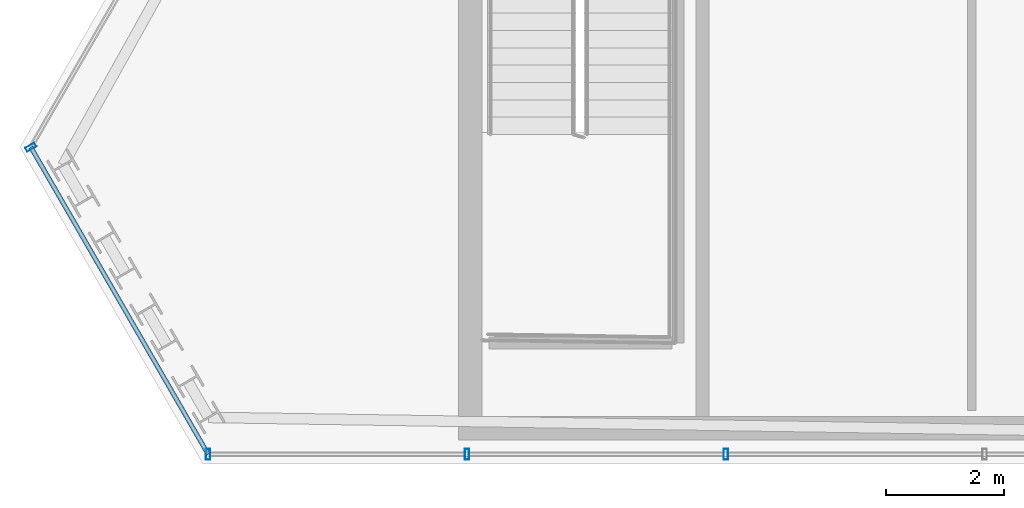
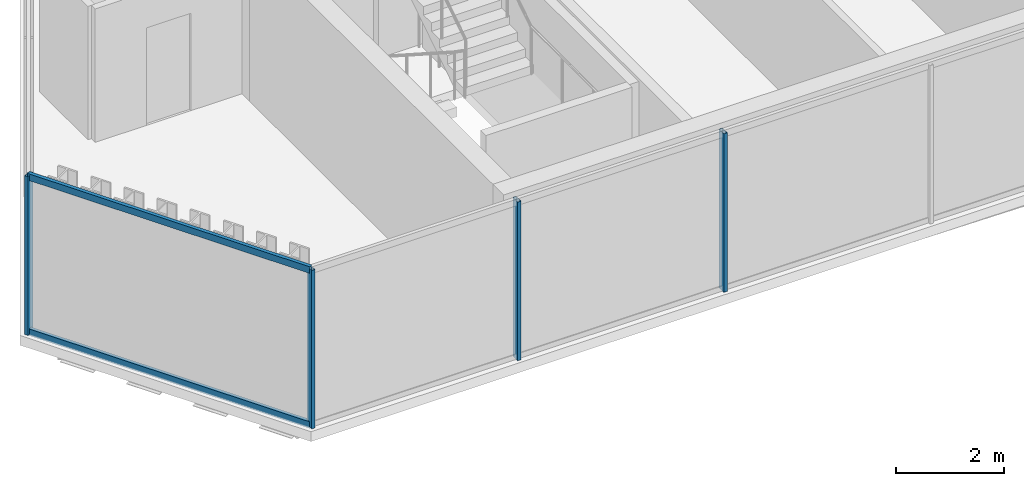
# One storey, part 3 of 32: 6 members, 2 elements without a shape of their own.
"""IFC4 building model written with IfcOpenShell, lengths in metres."""

from ifc_helpers import new_model, si_unit, direction, frame, origin, origin_2d, place, context, subcontext, project, spatial, hollow_rectangle, extrude, material, layer, layer_set, material_profile, profile_set, type_object, element, aggregate, save


model = new_model("IFC4")

# Units and contexts
model_context = context("Model", 3, precision=1e-05, world=origin(), true_north=direction((0.0, 1.0)))
body_context = subcontext(model_context, "Body", "Model", "MODEL_VIEW")
ifc_project = project(units=[si_unit("LENGTHUNIT", "METRE"), si_unit("AREAUNIT", "SQUARE_METRE"), si_unit("VOLUMEUNIT", "CUBIC_METRE"), si_unit("PLANEANGLEUNIT", "RADIAN"), si_unit("MASSUNIT", "GRAM", prefix="KILO")], contexts=[model_context])

# Site, building, storey
site_placement = place(None, origin())
site = spatial("IfcSite", under=ifc_project, at=site_placement, CompositionType="ELEMENT")
building_placement = place(site_placement, origin())
building = spatial("IfcBuilding", under=site, at=building_placement, Name="Ndaravel Arena Tower", CompositionType="ELEMENT")
storey_placement = place(building_placement, frame((0.0, 0.0, 256.0)))
storey = spatial("IfcBuildingStorey", under=building, at=storey_placement, Name="L62", CompositionType="ELEMENT", Elevation=256.0)

# Curtain wall, members
ifc_material_1 = material(Name="Aluminium", Category="aluminium")
ifc_layer_1 = layer(ifc_material_1, 0.179931640625)
ifc_layer_set_1 = layer_set([ifc_layer_1], Name="Aluminium")
curtain_wall_type_1 = type_object("IfcCurtainWallType", Name="CW-SYS-03", PredefinedType="NOTDEFINED", material=ifc_layer_set_1)
curtain_wall_1_placement = place(storey_placement, origin())
curtain_wall_1 = element("IfcCurtainWall", 1, at=curtain_wall_1_placement, inside=storey, type_object=curtain_wall_type_1, Name="L62 Faceted Crystal Curtain Wall CW-L62-E01", PredefinedType="NOTDEFINED")
ifc_material_2 = material(Name="Aluminium", Category="aluminium")
ifc_material_profile_1 = material_profile(ifc_material_2, hollow_rectangle(XDim=0.074951171875, YDim=0.179931640625, WallThickness=0.00390625, at=origin_2d()), Name="CW MULLION 75x180x4")
ifc_profile_set_1 = profile_set([ifc_material_profile_1], Name="Aluminium")
member_type_1 = type_object("IfcMemberType", Name="MEM-CW-MUL180", PredefinedType="MULLION", material=ifc_profile_set_1)
member_1_placement = place(storey_placement, frame((22.197021484375, 5.159912109375, 0.0), z_axis=(0.0, 0.0, 1.0), x_axis=(1.0, 0.0, 0.0)))
member_1 = element("IfcMember", 2, at=member_1_placement, type_object=member_type_1, Name="CW-L62-E01 Mullion 00", PredefinedType="MULLION", context=body_context, shape_type="SweptSolid", body=[
    extrude(hollow_rectangle(XDim=0.074951171875, YDim=0.179931640625, WallThickness=0.00390625, at=origin_2d()), origin(), (0.0, 0.0, 1.0), 3.580078125),
])
member_2_placement = place(storey_placement, frame((26.59765625, 5.159912109375, 0.0), z_axis=(0.0, 0.0, 1.0), x_axis=(1.0, 0.0, 0.0)))
member_2 = element("IfcMember", 3, at=member_2_placement, type_object=member_type_1, Name="CW-L62-E01 Mullion 01", PredefinedType="MULLION", context=body_context, shape_type="SweptSolid", body=[
    extrude(hollow_rectangle(XDim=0.074951171875, YDim=0.179931640625, WallThickness=0.00390625, at=origin_2d()), origin(), (0.0, 0.0, 1.0), 3.580078125),
])
member_3_placement = place(storey_placement, frame((30.998291015625, 5.159912109375, 0.0), z_axis=(0.0, 0.0, 1.0), x_axis=(1.0, 0.0, 0.0)))
member_3 = element("IfcMember", 4, at=member_3_placement, type_object=member_type_1, Name="CW-L62-E01 Mullion 02", PredefinedType="MULLION", context=body_context, shape_type="SweptSolid", body=[
    extrude(hollow_rectangle(XDim=0.074951171875, YDim=0.179931640625, WallThickness=0.00390625, at=origin_2d()), origin(), (0.0, 0.0, 1.0), 3.580078125),
])
aggregate(curtain_wall_1, [member_1, member_2, member_3])

ifc_material_3 = material(Name="Aluminium", Category="aluminium")
ifc_layer_2 = layer(ifc_material_3, 0.179931640625)
ifc_layer_set_2 = layer_set([ifc_layer_2], Name="Aluminium")
curtain_wall_type_2 = type_object("IfcCurtainWallType", Name="CW-SYS-02", PredefinedType="NOTDEFINED", material=ifc_layer_set_2)
curtain_wall_2_placement = place(storey_placement, origin())
curtain_wall_2 = element("IfcCurtainWall", 5, at=curtain_wall_2_placement, inside=storey, type_object=curtain_wall_type_2, Name="L62 Faceted Crystal Curtain Wall CW-L62-E06", PredefinedType="NOTDEFINED")
member_4_placement = place(storey_placement, frame((19.183349609375, 10.3798828125, 0.0), z_axis=(0.0, 0.0, 1.0), x_axis=(0.5, -0.866025403784, 0.0)))
member_4 = element("IfcMember", 6, at=member_4_placement, type_object=member_type_1, Name="CW-L62-E06 Mullion 00", PredefinedType="MULLION", context=body_context, shape_type="SweptSolid", body=[
    extrude(hollow_rectangle(XDim=0.074951171875, YDim=0.179931640625, WallThickness=0.00390625, at=origin_2d()), origin(), (0.0, 0.0, 1.0), 3.580078125),
])
ifc_material_4 = material(Name="Aluminium", Category="aluminium")
ifc_material_profile_2 = material_profile(ifc_material_4, hollow_rectangle(XDim=0.074951171875, YDim=0.14990234375, WallThickness=0.00390625, at=origin_2d()), Name="CW TRANSOM 75x150x4")
ifc_profile_set_2 = profile_set([ifc_material_profile_2], Name="Aluminium")
member_type_2 = type_object("IfcMemberType", Name="MEM-CW-TRN150", PredefinedType="USERDEFINED", material=ifc_profile_set_2)
member_5_placement = place(storey_placement, frame((19.183349609375, 10.3798828125, 0.0400390625), z_axis=(0.49999009336, -0.86603112331, 0.0), x_axis=(0.86603112331, 0.49999009336, 0.0)))
member_5 = element("IfcMember", 7, at=member_5_placement, type_object=member_type_2, Name="CW-L62-E06 Transom 01", ObjectType="TRANSOM", PredefinedType="USERDEFINED", context=body_context, shape_type="SweptSolid", body=[
    extrude(hollow_rectangle(XDim=0.074951171875, YDim=0.14990234375, WallThickness=0.00390625, at=origin_2d()), origin(), (0.0, 0.0, 1.0), 6.02734375),
])
member_6_placement = place(storey_placement, frame((19.183349609375, 10.3798828125, 3.5400390625), z_axis=(0.49999009336, -0.86603112331, 0.0), x_axis=(0.86603112331, 0.49999009336, 0.0)))
member_6 = element("IfcMember", 8, at=member_6_placement, type_object=member_type_2, Name="CW-L62-E06 Transom 02", ObjectType="TRANSOM", PredefinedType="USERDEFINED", context=body_context, shape_type="SweptSolid", body=[
    extrude(hollow_rectangle(XDim=0.074951171875, YDim=0.14990234375, WallThickness=0.00390625, at=origin_2d()), origin(), (0.0, 0.0, 1.0), 6.02734375),
])
aggregate(curtain_wall_2, [member_4, member_5, member_6])

save(model, "model.ifc")
